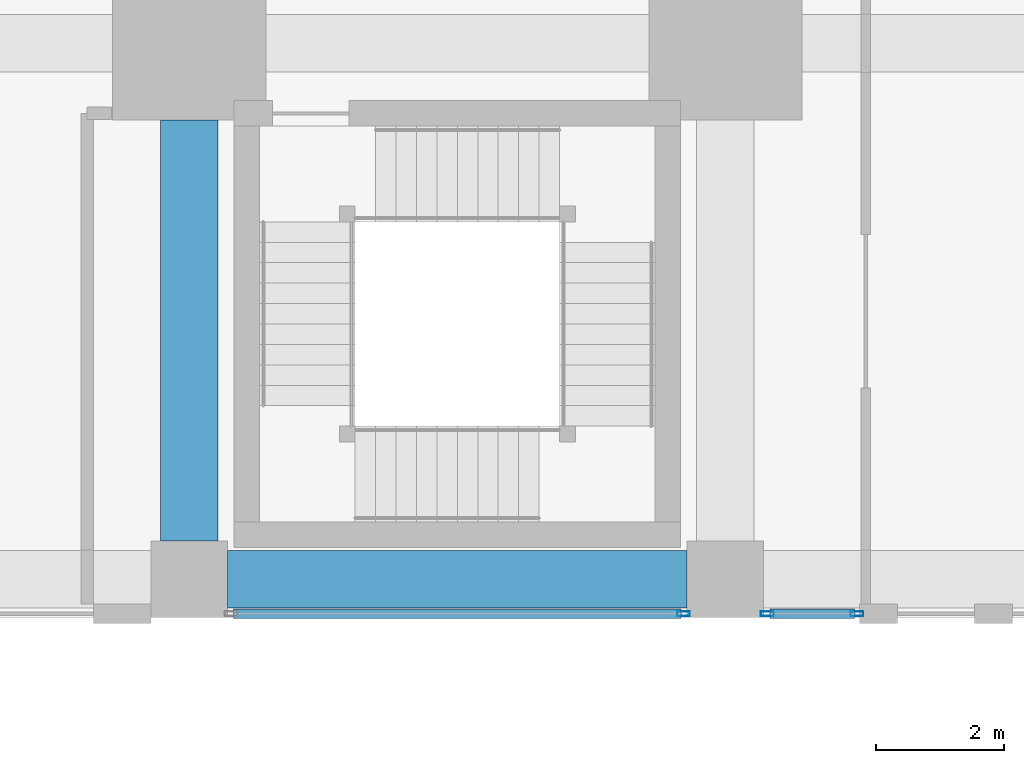
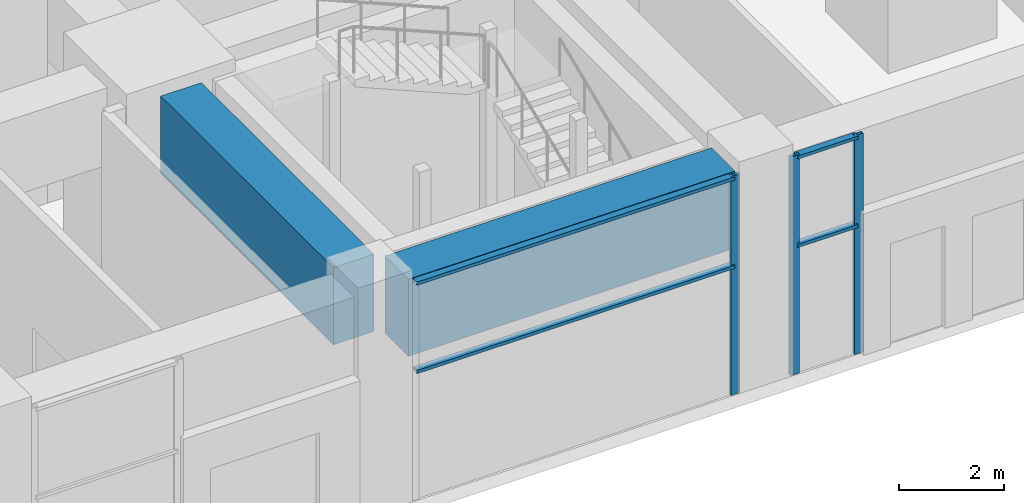
# One storey, part 7 of 81: 7 members, 2 beams, 2 elements without a shape of their own.
"""IFC4 building model written with IfcOpenShell, lengths in metres."""

from ifc_helpers import new_model, si_unit, direction, frame, origin, origin_2d, place, context, subcontext, project, spatial, rectangle, hollow_rectangle, extrude, material, material_profile, profile_set, type_object, element, aggregate, save


model = new_model("IFC4")

# Units and contexts
model_context = context("Model", 3, precision=1e-05, world=origin(), true_north=direction((0.0, 1.0)))
body_context = subcontext(model_context, "Body", "Model", "MODEL_VIEW")
ifc_project = project(units=[si_unit("LENGTHUNIT", "METRE"), si_unit("AREAUNIT", "SQUARE_METRE"), si_unit("VOLUMEUNIT", "CUBIC_METRE"), si_unit("PLANEANGLEUNIT", "RADIAN"), si_unit("MASSUNIT", "GRAM", prefix="KILO")], contexts=[model_context])

# Site, building, storey
site_placement = place(None, origin())
site = spatial("IfcSite", under=ifc_project, at=site_placement, CompositionType="ELEMENT")
building_placement = place(site_placement, origin())
building = spatial("IfcBuilding", under=site, at=building_placement, Name="Rekha Terrace Tower", CompositionType="ELEMENT")
storey_placement = place(building_placement, origin())
storey = spatial("IfcBuildingStorey", under=building, at=storey_placement, Name="L00", CompositionType="ELEMENT", Elevation=0.0)

# Curtain wall, member
ifc_material_1 = material(Name="Aluminium framing", Category="aluminium")
curtain_wall_type = type_object("IfcCurtainWallType", Name="CW4 podium shopfront glazing", PredefinedType="USERDEFINED", material=ifc_material_1)
curtain_wall_1_placement = place(storey_placement, origin())
curtain_wall_1 = element("IfcCurtainWall", 1, at=curtain_wall_1_placement, inside=storey, type_object=curtain_wall_type, Name="CW4 shopfront curtain wall", ObjectType="SHOPFRONT CURTAIN WALL", PredefinedType="USERDEFINED")
ifc_material_2 = material(Name="Aluminium mullion section", Category="aluminium")
ifc_material_profile_1 = material_profile(ifc_material_2, hollow_rectangle(XDim=0.074951171875, YDim=0.199951171875, WallThickness=0.00390625, at=origin_2d()), Name="AL RHS 75x200")
ifc_profile_set_1 = profile_set([ifc_material_profile_1], Name="Aluminium mullion section")
member_type_1 = type_object("IfcMemberType", Name="CW4 mullion RHS 75 x 200", PredefinedType="MULLION", material=ifc_profile_set_1)
member_1_placement = place(storey_placement, frame((24.54248046875, -0.5400390625, 0.0), z_axis=(0.0, 0.0, 1.0), x_axis=(0.0, 1.0, 0.0)))
member_1 = element("IfcMember", 2, at=member_1_placement, type_object=member_type_1, Name="CW4 mullion 2", PredefinedType="MULLION", context=body_context, shape_type="SweptSolid", body=[
    extrude(hollow_rectangle(XDim=0.074951171875, YDim=0.199951171875, WallThickness=0.00390625, at=origin_2d()), origin(), (0.0, 0.0, 1.0), 5.10009765625),
])

# Curtain wall, members
curtain_wall_2_placement = place(storey_placement, origin())
curtain_wall_2 = element("IfcCurtainWall", 3, at=curtain_wall_2_placement, inside=storey, type_object=curtain_wall_type, Name="CW4 shopfront curtain wall", ObjectType="SHOPFRONT CURTAIN WALL", PredefinedType="USERDEFINED")
member_2_placement = place(storey_placement, frame((25.857421875, -0.5400390625, 0.0), z_axis=(0.0, 0.0, 1.0), x_axis=(0.0, 1.0, 0.0)))
member_2 = element("IfcMember", 4, at=member_2_placement, type_object=member_type_1, Name="CW4 mullion 1", PredefinedType="MULLION", context=body_context, shape_type="SweptSolid", body=[
    extrude(hollow_rectangle(XDim=0.074951171875, YDim=0.199951171875, WallThickness=0.00390625, at=origin_2d()), origin(), (0.0, 0.0, 1.0), 5.10009765625),
])
member_3_placement = place(storey_placement, frame((27.262451171875, -0.5400390625, 0.0), z_axis=(0.0, 0.0, 1.0), x_axis=(0.0, 1.0, 0.0)))
member_3 = element("IfcMember", 5, at=member_3_placement, type_object=member_type_1, Name="CW4 mullion 2", PredefinedType="MULLION", context=body_context, shape_type="SweptSolid", body=[
    extrude(hollow_rectangle(XDim=0.074951171875, YDim=0.199951171875, WallThickness=0.00390625, at=origin_2d()), origin(), (0.0, 0.0, 1.0), 5.10009765625),
])

# Member
ifc_material_3 = material(Name="Aluminium transom section", Category="aluminium")
ifc_material_profile_2 = material_profile(ifc_material_3, hollow_rectangle(XDim=0.14990234375, YDim=0.074951171875, WallThickness=0.0029296875, at=origin_2d()), Name="AL RHS 150x75")
ifc_profile_set_2 = profile_set([ifc_material_profile_2], Name="Aluminium transom section")
member_type_2 = type_object("IfcMemberType", Name="CW4 transom RHS 75 x 150", PredefinedType="USERDEFINED", material=ifc_profile_set_2)
member_4_placement = place(storey_placement, frame((17.4951171875, -0.5400390625, 3.0), z_axis=(1.0, 0.0, 0.0), x_axis=(0.0, 1.0, 0.0)))
member_4 = element("IfcMember", 6, at=member_4_placement, type_object=member_type_2, Name="CW4 transom 1.2", ObjectType="TRANSOM", PredefinedType="USERDEFINED", context=body_context, shape_type="SweptSolid", body=[
    extrude(hollow_rectangle(XDim=0.14990234375, YDim=0.074951171875, WallThickness=0.0029296875, at=origin_2d()), origin(), (0.0, 0.0, 1.0), 7.009765625),
])

member_5_placement = place(storey_placement, frame((17.4951171875, -0.5400390625, 5.0625), z_axis=(1.0, 0.0, 0.0), x_axis=(0.0, 1.0, 0.0)))
member_5 = element("IfcMember", 7, at=member_5_placement, type_object=member_type_2, Name="CW4 transom 1.3", ObjectType="TRANSOM", PredefinedType="USERDEFINED", context=body_context, shape_type="SweptSolid", body=[
    extrude(hollow_rectangle(XDim=0.14990234375, YDim=0.074951171875, WallThickness=0.0029296875, at=origin_2d()), origin(), (0.0, 0.0, 1.0), 7.009765625),
])

aggregate(curtain_wall_1, [member_1, member_4, member_5])

member_6_placement = place(storey_placement, frame((25.89501953125, -0.5400390625, 3.0), z_axis=(1.0, 0.0, 0.0), x_axis=(0.0, 1.0, 0.0)))
member_6 = element("IfcMember", 8, at=member_6_placement, type_object=member_type_2, Name="CW4 transom 1.2", ObjectType="TRANSOM", PredefinedType="USERDEFINED", context=body_context, shape_type="SweptSolid", body=[
    extrude(hollow_rectangle(XDim=0.14990234375, YDim=0.074951171875, WallThickness=0.0029296875, at=origin_2d()), origin(), (0.0, 0.0, 1.0), 1.330078125),
])

member_7_placement = place(storey_placement, frame((25.89501953125, -0.5400390625, 5.0625), z_axis=(1.0, 0.0, 0.0), x_axis=(0.0, 1.0, 0.0)))
member_7 = element("IfcMember", 9, at=member_7_placement, type_object=member_type_2, Name="CW4 transom 1.3", ObjectType="TRANSOM", PredefinedType="USERDEFINED", context=body_context, shape_type="SweptSolid", body=[
    extrude(hollow_rectangle(XDim=0.14990234375, YDim=0.074951171875, WallThickness=0.0029296875, at=origin_2d()), origin(), (0.0, 0.0, 1.0), 1.330078125),
])

aggregate(curtain_wall_2, [member_2, member_3, member_6, member_7])

# Beams
ifc_material_4 = material(Name="Concrete M60", Category="concrete")
ifc_material_profile_3 = material_profile(ifc_material_4, rectangle(XDim=0.89990234375, YDim=1.800048828125, at=origin_2d()), Name="RC 900x1800")
ifc_profile_set_3 = profile_set([ifc_material_profile_3], Name="Concrete M60")
beam_type = type_object("IfcBeamType", Name="G1 900x1800 podium floor beam", PredefinedType="BEAM", material=ifc_profile_set_3)
beam_1_placement = place(storey_placement, frame((17.39990234375, 0.0, 4.199951171875), z_axis=(1.0, 0.0, 0.0), x_axis=(0.0, 1.0, 0.0)))
element("IfcBeam", 10, at=beam_1_placement, inside=storey, type_object=beam_type, Name="Beam G1 3A-4A under L01", PredefinedType="BEAM", context=body_context, shape_type="SweptSolid", body=[
    extrude(rectangle(XDim=0.89990234375, YDim=1.800048828125, at=origin_2d()), origin(), (0.0, 0.0, 1.0), 7.2001953125),
])
beam_2_placement = place(storey_placement, frame((16.800048828125, 0.60009765625, 4.199951171875), z_axis=(0.0, 1.0, 0.0), x_axis=(-1.0, 0.0, 0.0)))
element("IfcBeam", 11, at=beam_2_placement, inside=storey, type_object=beam_type, Name="Beam G1 3A-3B under L01", PredefinedType="BEAM", context=body_context, shape_type="SweptSolid", body=[
    extrude(rectangle(XDim=0.89990234375, YDim=1.800048828125, at=origin_2d()), origin(), (0.0, 0.0, 1.0), 6.599853515625),
])

save(model, "model.ifc")
